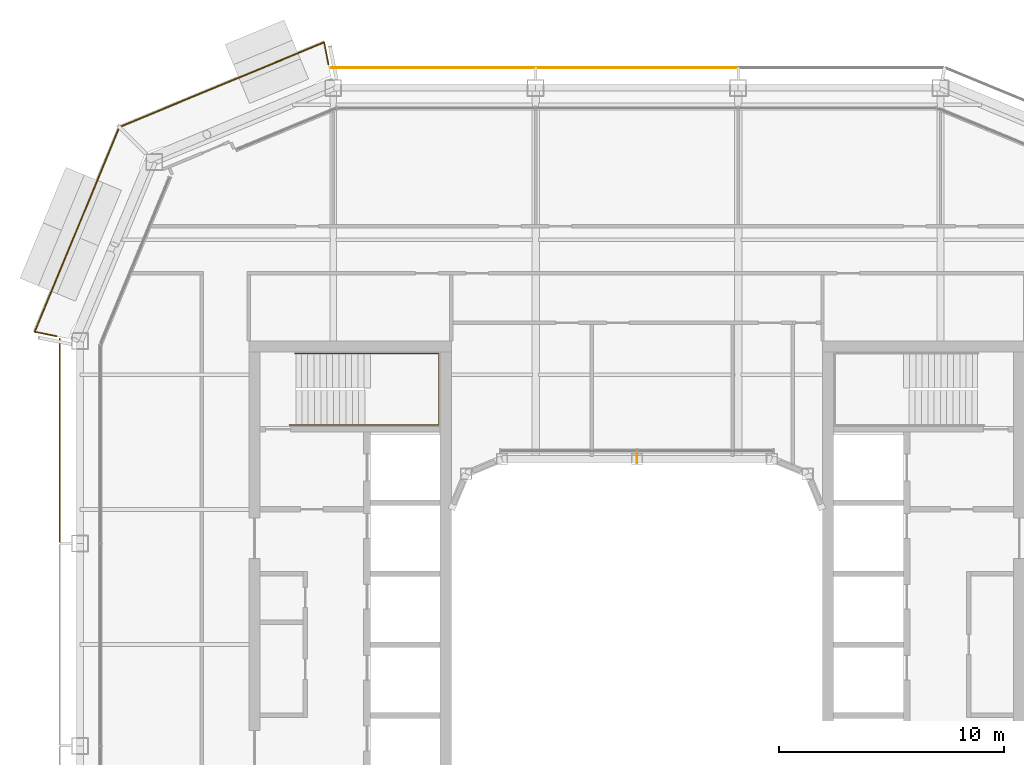
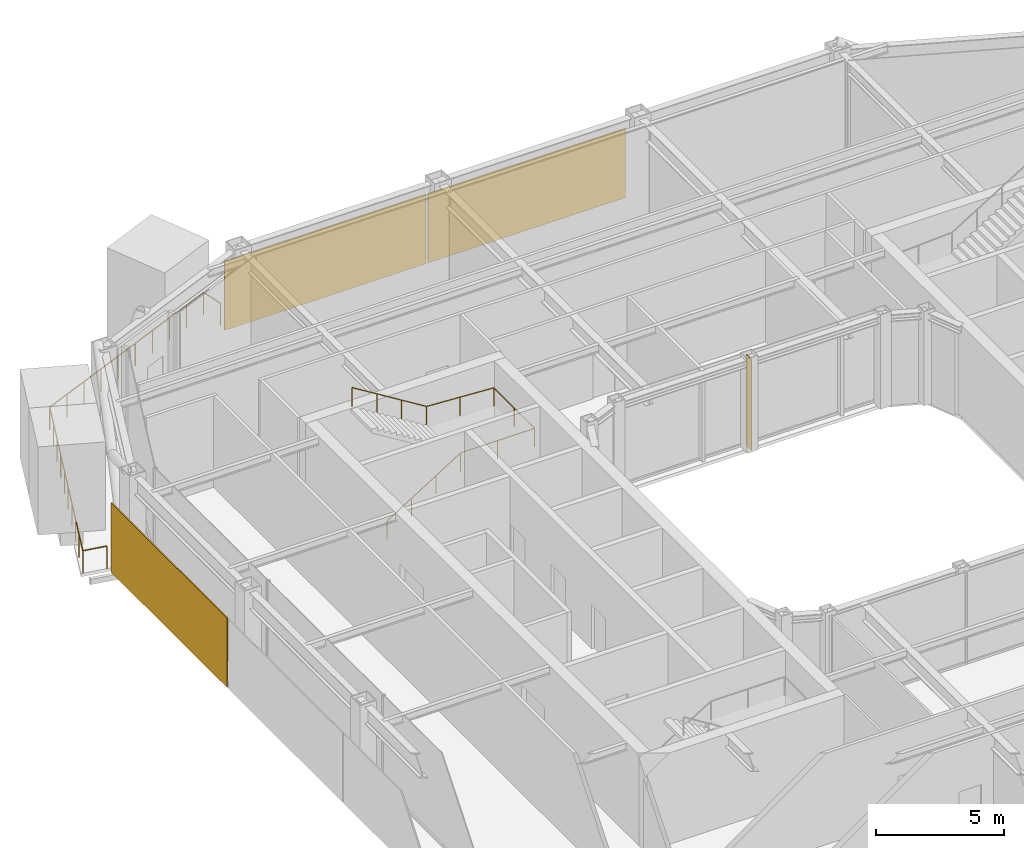
# One storey, part 19 of 21: 3 coverings, 2 railings, 1 shading device.
"""IFC4 building model written with IfcOpenShell, lengths in metres."""

from ifc_helpers import new_model, si_unit, direction, frame, origin, origin_2d, place, context, subcontext, project, spatial, rectangle, circle, extrude, material, layer, layer_set, type_object, element, save


model = new_model("IFC4")

# Units and contexts
model_context = context("Model", 3, precision=1e-05, world=origin(), true_north=direction((0.0, 1.0)))
body_context = subcontext(model_context, "Body", "Model", "MODEL_VIEW")
ifc_project = project(units=[si_unit("LENGTHUNIT", "METRE"), si_unit("AREAUNIT", "SQUARE_METRE"), si_unit("VOLUMEUNIT", "CUBIC_METRE"), si_unit("PLANEANGLEUNIT", "RADIAN"), si_unit("MASSUNIT", "GRAM", prefix="KILO")], contexts=[model_context])

# Site, building, storey
site_placement = place(None, origin())
site = spatial("IfcSite", under=ifc_project, at=site_placement, CompositionType="ELEMENT")
building_placement = place(site_placement, origin())
building = spatial("IfcBuilding", under=site, at=building_placement, Name="Siwar Civic Tower", CompositionType="ELEMENT")
storey_placement = place(building_placement, frame((0.0, 0.0, 294.199951171875)))
storey = spatial("IfcBuildingStorey", under=building, at=storey_placement, Name="L63", CompositionType="ELEMENT", Elevation=294.199951171875)

# Railing
ifc_material_1 = material(Name="Stainless steel", Category="steel")
railing_type_1 = type_object("IfcRailingType", Name="CORE-STAIR-HANDRAIL", PredefinedType="HANDRAIL", material=ifc_material_1)
railing_1_placement = place(storey_placement, frame((-15.449951171875, 9.758056640625, 0.173095703125)))
element("IfcRailing", 1, at=railing_1_placement, inside=storey, type_object=railing_type_1, Name="Stair handrail ST1", PredefinedType="HANDRAIL", context=body_context, shape_type="SweptSolid", body=[
    extrude(circle(Radius=0.02001953125, at=origin_2d()), frame((0.0, 0.0, 0.8798828125), z_axis=(0.847063342986, 0.0, 0.531491950051), x_axis=(0.0, 1.0, 0.0)), (0.0, 0.0, 1.0), 3.90771484375),
    extrude(circle(Radius=0.02001953125, at=origin_2d()), frame((3.31005859375, 0.0, 2.956787109375), z_axis=(1.0, 0.0, 0.0), x_axis=(0.0, 1.0, 0.0)), (0.0, 0.0, 1.0), 3.331787109375),
    extrude(circle(Radius=0.02001953125, at=origin_2d()), frame((6.641845703125, 0.0, 2.956787109375), z_axis=(0.0, 1.0, 0.0), x_axis=(-1.0, 0.0, 0.0)), (0.0, 0.0, 1.0), 3.183837890625),
    extrude(circle(Radius=0.02001953125, at=origin_2d()), frame((6.641845703125, 3.183837890625, 2.956787109375), z_axis=(-0.99837434197, 0.0, 0.056997134106), x_axis=(0.0, -1.0, 0.0)), (0.0, 0.0, 1.0), 3.036865234375),
    extrude(circle(Radius=0.02001953125, at=origin_2d()), frame((3.60986328125, 3.183837890625, 3.1298828125), z_axis=(-0.850606129759, 0.0, 0.525803396734), x_axis=(0.0, -1.0, 0.0)), (0.0, 0.0, 1.0), 3.949951171875),
    extrude(circle(Radius=0.02001953125, at=origin_2d()), origin(), (0.0, 0.0, 1.0), 0.85986328125),
    extrude(circle(Radius=0.02001953125, at=origin_2d()), frame((1.103271484375, 0.0, 0.6923828125)), (0.0, 0.0, 1.0), 0.85986328125),
    extrude(circle(Radius=0.02001953125, at=origin_2d()), frame((2.206787109375, 0.0, 1.384521484375)), (0.0, 0.0, 1.0), 0.85986328125),
    extrude(circle(Radius=0.02001953125, at=origin_2d()), frame((3.31005859375, 0.0, 2.076904296875)), (0.0, 0.0, 1.0), 0.85986328125),
    extrude(circle(Radius=0.02001953125, at=origin_2d()), frame((4.97607421875, 0.0, 2.076904296875)), (0.0, 0.0, 1.0), 0.85986328125),
    extrude(circle(Radius=0.02001953125, at=origin_2d()), frame((6.641845703125, 0.0, 2.076904296875)), (0.0, 0.0, 1.0), 0.85986328125),
    extrude(circle(Radius=0.02001953125, at=origin_2d()), frame((6.641845703125, 1.591796875, 2.076904296875)), (0.0, 0.0, 1.0), 0.85986328125),
    extrude(circle(Radius=0.02001953125, at=origin_2d()), frame((6.641845703125, 3.183837890625, 2.076904296875)), (0.0, 0.0, 1.0), 0.85986328125),
    extrude(circle(Radius=0.02001953125, at=origin_2d()), frame((5.1259765625, 3.183837890625, 2.16357421875)), (0.0, 0.0, 1.0), 0.85986328125),
    extrude(circle(Radius=0.02001953125, at=origin_2d()), frame((3.60986328125, 3.183837890625, 2.25)), (0.0, 0.0, 1.0), 0.85986328125),
    extrude(circle(Radius=0.02001953125, at=origin_2d()), frame((2.489990234375, 3.183837890625, 2.9423828125)), (0.0, 0.0, 1.0), 0.85986328125),
    extrude(circle(Radius=0.02001953125, at=origin_2d()), frame((1.369873046875, 3.183837890625, 3.634521484375)), (0.0, 0.0, 1.0), 0.85986328125),
    extrude(circle(Radius=0.02001953125, at=origin_2d()), frame((0.25, 3.183837890625, 4.326904296875)), (0.0, 0.0, 1.0), 0.85986328125),
])

# Shading device
ifc_material_2 = material(Name="Aluminium 6063-T6", Category="aluminium")
ifc_layer_1 = layer(ifc_material_2, 0.02001953125)
ifc_layer_set_1 = layer_set([ifc_layer_1], Name="Aluminium 6063-T6")
shading_device_type = type_object("IfcShadingDeviceType", Name="ENV-FIN", PredefinedType="JALOUSIE", material=ifc_layer_set_1)
shading_device_placement = place(storey_placement, frame((0.0, 8.294921875, 0.0), z_axis=(0.0, 0.0, 1.0), x_axis=(-1.0, 0.0, 0.0)))
element("IfcShadingDevice", 2, at=shading_device_placement, inside=storey, type_object=shading_device_type, Name="SUNSHADE fin WN 1", PredefinedType="JALOUSIE", context=body_context, shape_type="SweptSolid", body=[
    extrude(rectangle(XDim=0.02001953125, YDim=0.449951171875, at=origin_2d()), origin(), (0.0, 0.0, 1.0), 4.35009765625),
])

# Railing
ifc_material_3 = material(Name="Stainless steel 316", Category="steel")
railing_type_2 = type_object("IfcRailingType", Name="ENV-GUARD", PredefinedType="GUARDRAIL", material=ifc_material_3)
railing_2_placement = place(storey_placement, frame((-13.708251953125, 25.797119140625, 0.0)))
element("IfcRailing", 3, at=railing_2_placement, inside=storey, type_object=railing_type_2, Name="Balcony guard NW", PredefinedType="GUARDRAIL", context=body_context, shape_type="SweptSolid", body=[
    extrude(circle(Radius=0.02392578125, at=origin_2d()), frame((0.0, 0.0, 1.076171875), z_axis=(-0.195123592472, 0.980778661911, 0.0), x_axis=(-0.980778661911, -0.195123592472, 0.0)), (0.0, 0.0, 1.0), 0.993408203125),
    extrude(circle(Radius=0.02392578125, at=origin_2d()), frame((-0.19384765625, 0.974365234375, 1.076171875), z_axis=(-0.924056377406, -0.38225621169, 0.0), x_axis=(0.38225621169, -0.924056377406, 0.0)), (0.0, 0.0, 1.0), 9.851806640625),
    extrude(circle(Radius=0.02392578125, at=origin_2d()), frame((-9.29736328125, -2.79150390625, 1.076171875), z_axis=(-0.38225621169, -0.924056377406, 0.0), x_axis=(0.924056377406, -0.38225621169, 0.0)), (0.0, 0.0, 1.0), 9.851806640625),
    extrude(circle(Radius=0.02392578125, at=origin_2d()), frame((-13.063232421875, -11.89501953125, 1.076171875), z_axis=(0.980778661911, -0.195123592472, 0.0), x_axis=(0.195123592472, 0.980778661911, 0.0)), (0.0, 0.0, 1.0), 0.993408203125),
    extrude(circle(Radius=0.02099609375, at=origin_2d()), origin(), (0.0, 0.0, 1.0), 1.052001953125),
    extrude(circle(Radius=0.02099609375, at=origin_2d()), frame((-0.19384765625, 0.974365234375, 0.0)), (0.0, 0.0, 1.0), 1.052001953125),
    extrude(circle(Radius=0.02099609375, at=origin_2d()), frame((-1.205322265625, 0.555908203125, 0.0)), (0.0, 0.0, 1.0), 1.052001953125),
    extrude(circle(Radius=0.02099609375, at=origin_2d()), frame((-2.216796875, 0.137451171875, 0.0)), (0.0, 0.0, 1.0), 1.052001953125),
    extrude(circle(Radius=0.02099609375, at=origin_2d()), frame((-3.228271484375, -0.281005859375, 0.0)), (0.0, 0.0, 1.0), 1.052001953125),
    extrude(circle(Radius=0.02099609375, at=origin_2d()), frame((-4.23974609375, -0.699462890625, 0.0)), (0.0, 0.0, 1.0), 1.052001953125),
    extrude(circle(Radius=0.02099609375, at=origin_2d()), frame((-5.25146484375, -1.11767578125, 0.0)), (0.0, 0.0, 1.0), 1.052001953125),
    extrude(circle(Radius=0.02099609375, at=origin_2d()), frame((-6.262939453125, -1.5361328125, 0.0)), (0.0, 0.0, 1.0), 1.052001953125),
    extrude(circle(Radius=0.02099609375, at=origin_2d()), frame((-7.2744140625, -1.95458984375, 0.0)), (0.0, 0.0, 1.0), 1.052001953125),
    extrude(circle(Radius=0.02099609375, at=origin_2d()), frame((-8.285888671875, -2.373046875, 0.0)), (0.0, 0.0, 1.0), 1.052001953125),
    extrude(circle(Radius=0.02099609375, at=origin_2d()), frame((-9.29736328125, -2.79150390625, 0.0)), (0.0, 0.0, 1.0), 1.052001953125),
    extrude(circle(Radius=0.02099609375, at=origin_2d()), frame((-9.7158203125, -3.802978515625, 0.0)), (0.0, 0.0, 1.0), 1.052001953125),
    extrude(circle(Radius=0.02099609375, at=origin_2d()), frame((-10.13427734375, -4.814453125, 0.0)), (0.0, 0.0, 1.0), 1.052001953125),
    extrude(circle(Radius=0.02099609375, at=origin_2d()), frame((-10.552734375, -5.825927734375, 0.0)), (0.0, 0.0, 1.0), 1.052001953125),
    extrude(circle(Radius=0.02099609375, at=origin_2d()), frame((-10.97119140625, -6.83740234375, 0.0)), (0.0, 0.0, 1.0), 1.052001953125),
    extrude(circle(Radius=0.02099609375, at=origin_2d()), frame((-11.389404296875, -7.84912109375, 0.0)), (0.0, 0.0, 1.0), 1.052001953125),
    extrude(circle(Radius=0.02099609375, at=origin_2d()), frame((-11.807861328125, -8.860595703125, 0.0)), (0.0, 0.0, 1.0), 1.052001953125),
    extrude(circle(Radius=0.02099609375, at=origin_2d()), frame((-12.226318359375, -9.8720703125, 0.0)), (0.0, 0.0, 1.0), 1.052001953125),
    extrude(circle(Radius=0.02099609375, at=origin_2d()), frame((-12.644775390625, -10.883544921875, 0.0)), (0.0, 0.0, 1.0), 1.052001953125),
    extrude(circle(Radius=0.02099609375, at=origin_2d()), frame((-13.063232421875, -11.89501953125, 0.0)), (0.0, 0.0, 1.0), 1.052001953125),
    extrude(circle(Radius=0.02099609375, at=origin_2d()), frame((-12.0888671875, -12.0888671875, 0.0)), (0.0, 0.0, 1.0), 1.052001953125),
])

# Coverings
ifc_material_4 = material(Name="Perforated aluminium cassette, pale metal", Category="aluminium")
ifc_layer_2 = layer(ifc_material_4, 0.0400390625)
ifc_layer_set_2 = layer_set([ifc_layer_2], Name="Perforated aluminium cassette, pale metal")
covering_type_1 = type_object("IfcCoveringType", Name="ENV-OUTER SKIN OS-1", PredefinedType="CLADDING", material=ifc_layer_set_2)
covering_1_placement = place(storey_placement, frame((0.0, 25.64990234375, -0.14990234375), z_axis=(0.0, 0.0, 1.0), x_axis=(-1.0, 0.0, 0.0)))
element("IfcCovering", 4, at=covering_1_placement, inside=storey, type_object=covering_type_1, Name="OUTER SKIN OS-1 N 2", PredefinedType="CLADDING", context=body_context, shape_type="SweptSolid", body=[
    extrude(rectangle(XDim=8.89990234375, YDim=0.0400390625, at=origin_2d()), origin(), (0.0, 0.0, 1.0), 3.300048828125),
])
covering_2_placement = place(storey_placement, frame((-9.07958984375, 25.64990234375, -0.14990234375), z_axis=(0.0, 0.0, 1.0), x_axis=(-1.0, 0.0, 0.0)))
element("IfcCovering", 5, at=covering_2_placement, inside=storey, type_object=covering_type_1, Name="OUTER SKIN OS-1 N 3", PredefinedType="CLADDING", context=body_context, shape_type="SweptSolid", body=[
    extrude(rectangle(XDim=9.05908203125, YDim=0.0400390625, at=origin_2d()), origin(), (0.0, 0.0, 1.0), 3.300048828125),
])
ifc_material_5 = material(Name="Perforated aluminium cassette, pale metal", Category="aluminium")
ifc_layer_3 = layer(ifc_material_5, 0.050048828125)
ifc_layer_set_3 = layer_set([ifc_layer_3], Name="Perforated aluminium cassette, pale metal")
covering_type_2 = type_object("IfcCoveringType", Name="ENV-OUTER SKIN OS-3", PredefinedType="CLADDING", material=ifc_layer_set_3)
covering_3_placement = place(storey_placement, frame((-25.64990234375, 9.07958984375, -0.14990234375), z_axis=(0.0, 0.0, 1.0), x_axis=(0.0, -1.0, 0.0)))
element("IfcCovering", 6, at=covering_3_placement, inside=storey, type_object=covering_type_2, Name="OUTER SKIN OS-3 W 1", PredefinedType="CLADDING", context=body_context, shape_type="SweptSolid", body=[
    extrude(rectangle(XDim=9.05908203125, YDim=0.050048828125, at=origin_2d()), origin(), (0.0, 0.0, 1.0), 3.300048828125),
])

save(model, "model.ifc")
